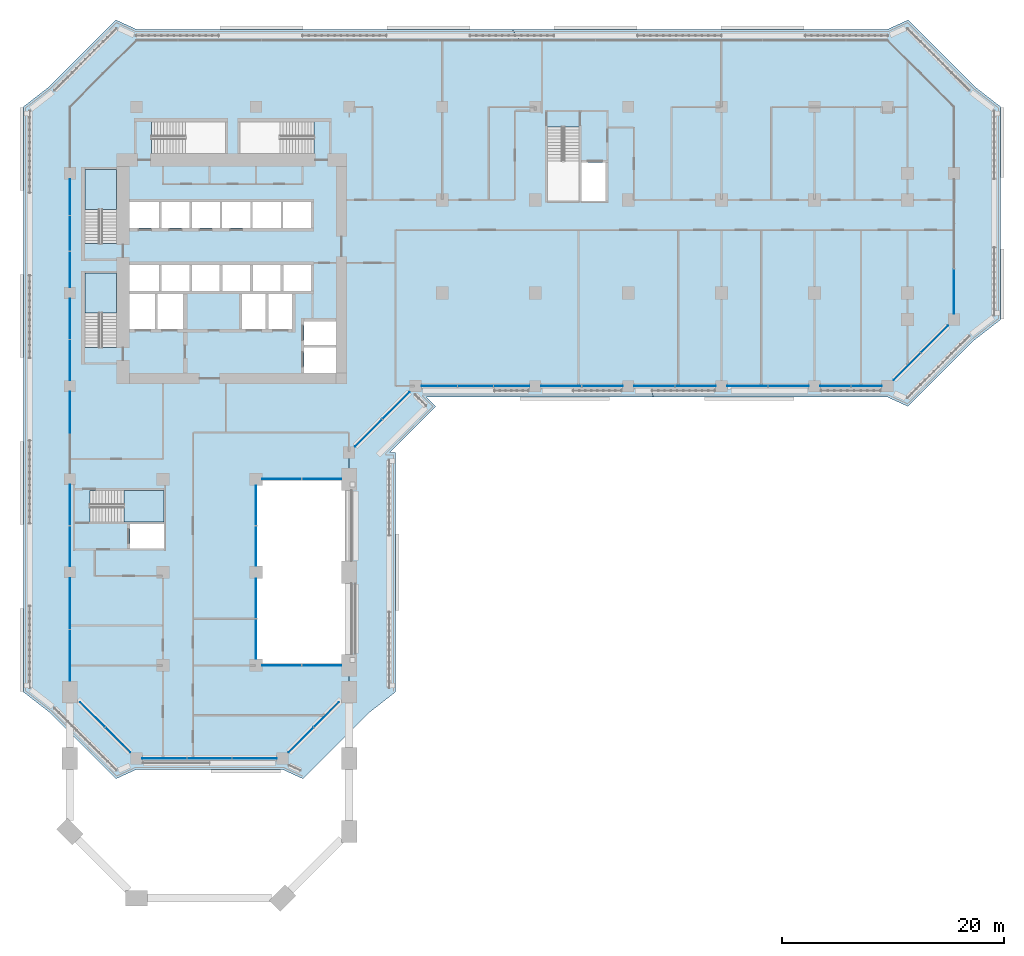
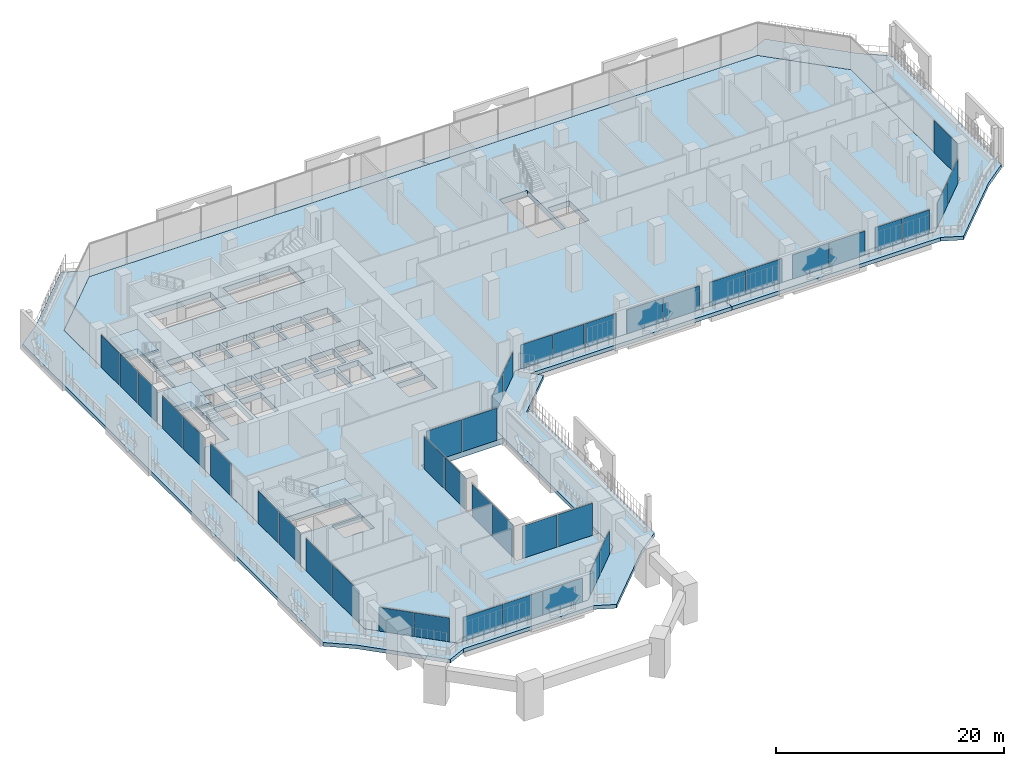
# One storey, part 11 of 27: 41 plates, 6 slabs, 14 elements without a shape of their own.
"""IFC4 building model written with IfcOpenShell, lengths in metres."""

from ifc_helpers import new_model, si_unit, direction, frame, origin, origin_2d, place, context, subcontext, project, spatial, polyline, rectangle, outline, extrude, material, layer, layer_set, type_object, element, aggregate, save


model = new_model("IFC4")

# Units and contexts
model_context = context("Model", 3, precision=1e-05, world=origin(), true_north=direction((0.0, 1.0)))
body_context = subcontext(model_context, "Body", "Model", "MODEL_VIEW")
ifc_project = project(units=[si_unit("LENGTHUNIT", "METRE"), si_unit("AREAUNIT", "SQUARE_METRE"), si_unit("VOLUMEUNIT", "CUBIC_METRE"), si_unit("PLANEANGLEUNIT", "RADIAN"), si_unit("MASSUNIT", "GRAM", prefix="KILO")], contexts=[model_context])

# Site, building, storey
site_placement = place(None, origin())
site = spatial("IfcSite", under=ifc_project, at=site_placement, CompositionType="ELEMENT")
building_placement = place(site_placement, origin())
building = spatial("IfcBuilding", under=site, at=building_placement, Name="Kawkab Arch Medical Tower", CompositionType="ELEMENT")
storey_placement = place(building_placement, frame((0.0, 0.0, 103.0)))
storey = spatial("IfcBuildingStorey", under=building, at=storey_placement, Name="L23", CompositionType="ELEMENT", Elevation=103.0)

# Curtain wall, plates
ifc_material_1 = material(Name="Bronze anodised aluminium curtain wall frame", Category="aluminium")
ifc_layer_1 = layer(ifc_material_1, 0.159912109375)
ifc_layer_set_1 = layer_set([ifc_layer_1], Name="Bronze anodised aluminium curtain wall frame")
curtain_wall_type_1 = type_object("IfcCurtainWallType", Name="CW1 ward curtain wall", PredefinedType="NOTDEFINED", material=ifc_layer_set_1)
placement_1 = place(storey_placement, origin())
curtain_wall_1 = element("IfcCurtainWall", 1, at=placement_1, inside=storey, type_object=curtain_wall_type_1, Name="CW1 Ward curtain wall R07", PredefinedType="NOTDEFINED")
ifc_material_2 = material(Name="Tinted insulating glass, bronze low-e coating", Category="glass")
ifc_layer_2 = layer(ifc_material_2, 0.031982421875)
ifc_layer_set_2 = layer_set([ifc_layer_2], Name="Tinted insulating glass, bronze low-e coating")
plate_type_1 = type_object("IfcPlateType", Name="CW1 glazing unit 32", PredefinedType="CURTAIN_PANEL", material=ifc_layer_set_2)
plate_1_placement = place(storey_placement, frame((33.355712890625, -25.199951171875, 0.0), z_axis=(0.0, 0.0, 1.0), x_axis=(1.0, 0.0, 0.0)))
plate_1 = element("IfcPlate", 2, at=plate_1_placement, type_object=plate_type_1, Name="CW1 glazing unit 1.1", PredefinedType="CURTAIN_PANEL", context=body_context, shape_type="SweptSolid", body=[
    extrude(rectangle(XDim=3.211669921875, YDim=0.031982421875, at=origin_2d()), origin(), (0.0, 0.0, 1.0), 2.580078125),
])
plate_2_placement = place(storey_placement, frame((36.612548828125, -25.199951171875, 0.0), z_axis=(0.0, 0.0, 1.0), x_axis=(1.0, 0.0, 0.0)))
plate_2 = element("IfcPlate", 3, at=plate_2_placement, type_object=plate_type_1, Name="CW1 glazing unit 1.2", PredefinedType="CURTAIN_PANEL", context=body_context, shape_type="SweptSolid", body=[
    extrude(rectangle(XDim=3.181640625, YDim=0.031982421875, at=origin_2d()), origin(), (0.0, 0.0, 1.0), 2.580078125),
])
plate_3_placement = place(storey_placement, frame((39.869140625, -25.199951171875, 0.0), z_axis=(0.0, 0.0, 1.0), x_axis=(1.0, 0.0, 0.0)))
plate_3 = element("IfcPlate", 4, at=plate_3_placement, type_object=plate_type_1, Name="CW1 glazing unit 1.3", PredefinedType="CURTAIN_PANEL", context=body_context, shape_type="SweptSolid", body=[
    extrude(rectangle(XDim=3.211669921875, YDim=0.031982421875, at=origin_2d()), origin(), (0.0, 0.0, 1.0), 2.580078125),
])
plate_4_placement = place(storey_placement, frame((44.347412109375, -25.199951171875, 0.0), z_axis=(0.0, 0.0, 1.0), x_axis=(1.0, 0.0, 0.0)))
plate_4 = element("IfcPlate", 5, at=plate_4_placement, type_object=plate_type_1, Name="CW1 glazing unit 2.1", PredefinedType="CURTAIN_PANEL", context=body_context, shape_type="SweptSolid", body=[
    extrude(rectangle(XDim=3.64501953125, YDim=0.031982421875, at=origin_2d()), origin(), (0.0, 0.0, 1.0), 2.580078125),
])
plate_5_placement = place(storey_placement, frame((48.052490234375, -25.199951171875, 0.0), z_axis=(0.0, 0.0, 1.0), x_axis=(1.0, 0.0, 0.0)))
plate_5 = element("IfcPlate", 6, at=plate_5_placement, type_object=plate_type_1, Name="CW1 glazing unit 2.2", PredefinedType="CURTAIN_PANEL", context=body_context, shape_type="SweptSolid", body=[
    extrude(rectangle(XDim=3.64501953125, YDim=0.031982421875, at=origin_2d()), origin(), (0.0, 0.0, 1.0), 2.580078125),
])
plate_6_placement = place(storey_placement, frame((52.74755859375, -25.199951171875, 0.0), z_axis=(0.0, 0.0, 1.0), x_axis=(1.0, 0.0, 0.0)))
plate_6 = element("IfcPlate", 7, at=plate_6_placement, type_object=plate_type_1, Name="CW1 glazing unit 3.1", PredefinedType="CURTAIN_PANEL", context=body_context, shape_type="SweptSolid", body=[
    extrude(rectangle(XDim=3.64501953125, YDim=0.031982421875, at=origin_2d()), origin(), (0.0, 0.0, 1.0), 2.580078125),
])
plate_7_placement = place(storey_placement, frame((56.452392578125, -25.199951171875, 0.0), z_axis=(0.0, 0.0, 1.0), x_axis=(1.0, 0.0, 0.0)))
plate_7 = element("IfcPlate", 8, at=plate_7_placement, type_object=plate_type_1, Name="CW1 glazing unit 3.2", PredefinedType="CURTAIN_PANEL", context=body_context, shape_type="SweptSolid", body=[
    extrude(rectangle(XDim=3.64501953125, YDim=0.031982421875, at=origin_2d()), origin(), (0.0, 0.0, 1.0), 2.580078125),
])
plate_8_placement = place(storey_placement, frame((61.1474609375, -25.199951171875, 0.0), z_axis=(0.0, 0.0, 1.0), x_axis=(1.0, 0.0, 0.0)))
plate_8 = element("IfcPlate", 9, at=plate_8_placement, type_object=plate_type_1, Name="CW1 glazing unit 4.1", PredefinedType="CURTAIN_PANEL", context=body_context, shape_type="SweptSolid", body=[
    extrude(rectangle(XDim=3.64501953125, YDim=0.031982421875, at=origin_2d()), origin(), (0.0, 0.0, 1.0), 2.580078125),
])
plate_9_placement = place(storey_placement, frame((64.8525390625, -25.199951171875, 0.0), z_axis=(0.0, 0.0, 1.0), x_axis=(1.0, 0.0, 0.0)))
plate_9 = element("IfcPlate", 10, at=plate_9_placement, type_object=plate_type_1, Name="CW1 glazing unit 4.2", PredefinedType="CURTAIN_PANEL", context=body_context, shape_type="SweptSolid", body=[
    extrude(rectangle(XDim=3.64501953125, YDim=0.031982421875, at=origin_2d()), origin(), (0.0, 0.0, 1.0), 2.580078125),
])
plate_10_placement = place(storey_placement, frame((69.09130859375, -25.199951171875, 0.0), z_axis=(0.0, 0.0, 1.0), x_axis=(1.0, 0.0, 0.0)))
plate_10 = element("IfcPlate", 11, at=plate_10_placement, type_object=plate_type_1, Name="CW1 glazing unit 5.1", PredefinedType="CURTAIN_PANEL", context=body_context, shape_type="SweptSolid", body=[
    extrude(rectangle(XDim=2.732421875, YDim=0.031982421875, at=origin_2d()), origin(), (0.0, 0.0, 1.0), 2.580078125),
])
plate_11_placement = place(storey_placement, frame((71.8837890625, -25.199951171875, 0.0), z_axis=(0.0, 0.0, 1.0), x_axis=(1.0, 0.0, 0.0)))
plate_11 = element("IfcPlate", 12, at=plate_11_placement, type_object=plate_type_1, Name="CW1 glazing unit 5.2", PredefinedType="CURTAIN_PANEL", context=body_context, shape_type="SweptSolid", body=[
    extrude(rectangle(XDim=2.732421875, YDim=0.031982421875, at=origin_2d()), origin(), (0.0, 0.0, 1.0), 2.580078125),
])
aggregate(curtain_wall_1, [plate_1, plate_2, plate_3, plate_4, plate_5, plate_6, plate_7, plate_8, plate_9, plate_10, plate_11])

# Curtain wall, plate
curtain_wall_2 = element("IfcCurtainWall", 13, at=placement_1, inside=storey, type_object=curtain_wall_type_1, Name="CW1 Ward curtain wall R09", PredefinedType="NOTDEFINED")
plate_12_placement = place(storey_placement, frame((79.800048828125, -16.6484375, 0.0), z_axis=(0.0, 0.0, 1.0), x_axis=(0.0, 1.0, 0.0)))
plate_12 = element("IfcPlate", 14, at=plate_12_placement, type_object=plate_type_1, Name="CW1 glazing unit 1.1", PredefinedType="CURTAIN_PANEL", context=body_context, shape_type="SweptSolid", body=[
    extrude(rectangle(XDim=4.00341796875, YDim=0.031982421875, at=origin_2d()), origin(), (0.0, 0.0, 1.0), 3.47998046875),
])
aggregate(curtain_wall_2, [plate_12])

# Curtain wall, plates
curtain_wall_3 = element("IfcCurtainWall", 15, at=placement_1, inside=storey, type_object=curtain_wall_type_1, Name="CW1 Ward curtain wall R13", PredefinedType="NOTDEFINED")
plate_13_placement = place(storey_placement, frame((0.0, -8.15576171875, 0.0), z_axis=(0.0, 0.0, 1.0), x_axis=(0.0, -1.0, 0.0)))
plate_13 = element("IfcPlate", 16, at=plate_13_placement, type_object=plate_type_1, Name="CW1 glazing unit 2.1", PredefinedType="CURTAIN_PANEL", context=body_context, shape_type="SweptSolid", body=[
    extrude(rectangle(XDim=3.211669921875, YDim=0.031982421875, at=origin_2d()), origin(), (0.0, 0.0, 1.0), 3.47998046875),
])
plate_14_placement = place(storey_placement, frame((0.0, -11.41259765625, 0.0), z_axis=(0.0, 0.0, 1.0), x_axis=(0.0, -1.0, 0.0)))
plate_14 = element("IfcPlate", 17, at=plate_14_placement, type_object=plate_type_1, Name="CW1 glazing unit 2.2", PredefinedType="CURTAIN_PANEL", context=body_context, shape_type="SweptSolid", body=[
    extrude(rectangle(XDim=3.181640625, YDim=0.031982421875, at=origin_2d()), origin(), (0.0, 0.0, 1.0), 3.47998046875),
])
plate_15_placement = place(storey_placement, frame((0.0, -14.669189453125, 0.0), z_axis=(0.0, 0.0, 1.0), x_axis=(0.0, -1.0, 0.0)))
plate_15 = element("IfcPlate", 18, at=plate_15_placement, type_object=plate_type_1, Name="CW1 glazing unit 2.3", PredefinedType="CURTAIN_PANEL", context=body_context, shape_type="SweptSolid", body=[
    extrude(rectangle(XDim=3.211669921875, YDim=0.031982421875, at=origin_2d()), origin(), (0.0, 0.0, 1.0), 3.47998046875),
])
plate_16_placement = place(storey_placement, frame((0.0, -19.1474609375, 0.0), z_axis=(0.0, 0.0, 1.0), x_axis=(0.0, -1.0, 0.0)))
plate_16 = element("IfcPlate", 19, at=plate_16_placement, type_object=plate_type_1, Name="CW1 glazing unit 3.1", PredefinedType="CURTAIN_PANEL", context=body_context, shape_type="SweptSolid", body=[
    extrude(rectangle(XDim=3.64501953125, YDim=0.031982421875, at=origin_2d()), origin(), (0.0, 0.0, 1.0), 3.47998046875),
])
plate_17_placement = place(storey_placement, frame((0.0, -22.8525390625, 0.0), z_axis=(0.0, 0.0, 1.0), x_axis=(0.0, -1.0, 0.0)))
plate_17 = element("IfcPlate", 20, at=plate_17_placement, type_object=plate_type_1, Name="CW1 glazing unit 3.2", PredefinedType="CURTAIN_PANEL", context=body_context, shape_type="SweptSolid", body=[
    extrude(rectangle(XDim=3.64501953125, YDim=0.031982421875, at=origin_2d()), origin(), (0.0, 0.0, 1.0), 3.47998046875),
])
plate_18_placement = place(storey_placement, frame((0.0, -27.5625, 0.0), z_axis=(0.0, 0.0, 1.0), x_axis=(0.0, -1.0, 0.0)))
plate_18 = element("IfcPlate", 21, at=plate_18_placement, type_object=plate_type_1, Name="CW1 glazing unit 4.1", PredefinedType="CURTAIN_PANEL", context=body_context, shape_type="SweptSolid", body=[
    extrude(rectangle(XDim=3.675048828125, YDim=0.031982421875, at=origin_2d()), origin(), (0.0, 0.0, 1.0), 3.47998046875),
])
plate_19_placement = place(storey_placement, frame((0.0, -35.947509765625, 0.0), z_axis=(0.0, 0.0, 1.0), x_axis=(0.0, -1.0, 0.0)))
plate_19 = element("IfcPlate", 22, at=plate_19_placement, type_object=plate_type_1, Name="CW1 glazing unit 5.1", PredefinedType="CURTAIN_PANEL", context=body_context, shape_type="SweptSolid", body=[
    extrude(rectangle(XDim=3.64501953125, YDim=0.031982421875, at=origin_2d()), origin(), (0.0, 0.0, 1.0), 3.47998046875),
])
plate_20_placement = place(storey_placement, frame((0.0, -39.652587890625, 0.0), z_axis=(0.0, 0.0, 1.0), x_axis=(0.0, -1.0, 0.0)))
plate_20 = element("IfcPlate", 23, at=plate_20_placement, type_object=plate_type_1, Name="CW1 glazing unit 5.2", PredefinedType="CURTAIN_PANEL", context=body_context, shape_type="SweptSolid", body=[
    extrude(rectangle(XDim=3.64501953125, YDim=0.031982421875, at=origin_2d()), origin(), (0.0, 0.0, 1.0), 3.47998046875),
])
plate_21_placement = place(storey_placement, frame((0.0, -44.828857421875, 0.0), z_axis=(0.0, 0.0, 1.0), x_axis=(0.0, -1.0, 0.0)))
plate_21 = element("IfcPlate", 24, at=plate_21_placement, type_object=plate_type_1, Name="CW1 glazing unit 6.1", PredefinedType="CURTAIN_PANEL", context=body_context, shape_type="SweptSolid", body=[
    extrude(rectangle(XDim=4.607421875, YDim=0.031982421875, at=origin_2d()), origin(), (0.0, 0.0, 1.0), 3.47998046875),
])
plate_22_placement = place(storey_placement, frame((0.0, -49.496337890625, 0.0), z_axis=(0.0, 0.0, 1.0), x_axis=(0.0, -1.0, 0.0)))
plate_22 = element("IfcPlate", 25, at=plate_22_placement, type_object=plate_type_1, Name="CW1 glazing unit 6.2", PredefinedType="CURTAIN_PANEL", context=body_context, shape_type="SweptSolid", body=[
    extrude(rectangle(XDim=4.607421875, YDim=0.031982421875, at=origin_2d()), origin(), (0.0, 0.0, 1.0), 3.47998046875),
])
aggregate(curtain_wall_3, [plate_13, plate_14, plate_15, plate_16, plate_17, plate_18, plate_19, plate_20, plate_21, plate_22])

curtain_wall_4 = element("IfcCurtainWall", 26, at=placement_1, inside=storey, type_object=curtain_wall_type_1, Name="CW1 Ward curtain wall R15", PredefinedType="NOTDEFINED")
plate_23_placement = place(storey_placement, frame((8.5517578125, -58.800048828125, 0.0), z_axis=(0.0, 0.0, 1.0), x_axis=(1.0, 0.0, 0.0)))
plate_23 = element("IfcPlate", 27, at=plate_23_placement, type_object=plate_type_1, Name="CW1 glazing unit 1.1", PredefinedType="CURTAIN_PANEL", context=body_context, shape_type="SweptSolid", body=[
    extrude(rectangle(XDim=4.00341796875, YDim=0.031982421875, at=origin_2d()), origin(), (0.0, 0.0, 1.0), 2.580078125),
])
plate_24_placement = place(storey_placement, frame((12.60009765625, -58.800048828125, 0.0), z_axis=(0.0, 0.0, 1.0), x_axis=(1.0, 0.0, 0.0)))
plate_24 = element("IfcPlate", 28, at=plate_24_placement, type_object=plate_type_1, Name="CW1 glazing unit 1.2", PredefinedType="CURTAIN_PANEL", context=body_context, shape_type="SweptSolid", body=[
    extrude(rectangle(XDim=3.973388671875, YDim=0.031982421875, at=origin_2d()), origin(), (0.0, 0.0, 1.0), 2.580078125),
])
plate_25_placement = place(storey_placement, frame((16.6484375, -58.800048828125, 0.0), z_axis=(0.0, 0.0, 1.0), x_axis=(1.0, 0.0, 0.0)))
plate_25 = element("IfcPlate", 29, at=plate_25_placement, type_object=plate_type_1, Name="CW1 glazing unit 1.3", PredefinedType="CURTAIN_PANEL", context=body_context, shape_type="SweptSolid", body=[
    extrude(rectangle(XDim=4.00341796875, YDim=0.031982421875, at=origin_2d()), origin(), (0.0, 0.0, 1.0), 2.580078125),
])
aggregate(curtain_wall_4, [plate_23, plate_24, plate_25])

ifc_material_3 = material(Name="Bronze anodised aluminium curtain wall frame", Category="aluminium")
ifc_layer_3 = layer(ifc_material_3, 0.159912109375)
ifc_layer_set_3 = layer_set([ifc_layer_3], Name="Bronze anodised aluminium curtain wall frame")
curtain_wall_type_2 = type_object("IfcCurtainWallType", Name="CW2 chamfer curtain wall", PredefinedType="NOTDEFINED", material=ifc_layer_set_3)
curtain_wall_5 = element("IfcCurtainWall", 30, at=placement_1, inside=storey, type_object=curtain_wall_type_2, Name="CW2 Chamfer curtain wall R06", PredefinedType="NOTDEFINED")
ifc_material_4 = material(Name="Tinted insulating glass, bronze low-e coating", Category="glass")
ifc_layer_4 = layer(ifc_material_4, 0.031982421875)
ifc_layer_set_4 = layer_set([ifc_layer_4], Name="Tinted insulating glass, bronze low-e coating")
plate_type_2 = type_object("IfcPlateType", Name="CW2 glazing unit 32", PredefinedType="CURTAIN_PANEL", material=ifc_layer_set_4)
plate_26_placement = place(storey_placement, frame((26.96435546875, -29.435546875, 0.0), z_axis=(0.0, 0.0, 1.0), x_axis=(0.707106781187, 0.707106781187, 0.0)))
plate_26 = element("IfcPlate", 31, at=plate_26_placement, type_object=plate_type_2, Name="CW2 glazing unit 1.1", PredefinedType="CURTAIN_PANEL", context=body_context, shape_type="SweptSolid", body=[
    extrude(rectangle(XDim=3.434814453125, YDim=0.031982421875, at=origin_2d()), origin(), (0.0, 0.0, 1.0), 2.56005859375),
])
plate_27_placement = place(storey_placement, frame((29.435546875, -26.96435546875, 0.0), z_axis=(0.0, 0.0, 1.0), x_axis=(0.707106781187, 0.707106781187, 0.0)))
plate_27 = element("IfcPlate", 32, at=plate_27_placement, type_object=plate_type_2, Name="CW2 glazing unit 1.2", PredefinedType="CURTAIN_PANEL", context=body_context, shape_type="SweptSolid", body=[
    extrude(rectangle(XDim=3.434814453125, YDim=0.031982421875, at=origin_2d()), origin(), (0.0, 0.0, 1.0), 2.56005859375),
])
aggregate(curtain_wall_5, [plate_26, plate_27])

curtain_wall_6 = element("IfcCurtainWall", 33, at=placement_1, inside=storey, type_object=curtain_wall_type_2, Name="CW2 Chamfer curtain wall R08", PredefinedType="NOTDEFINED")
plate_28_placement = place(storey_placement, frame((75.564453125, -23.435546875, 0.0), z_axis=(0.0, 0.0, 1.0), x_axis=(0.707106781187, 0.707106781187, 0.0)))
plate_28 = element("IfcPlate", 34, at=plate_28_placement, type_object=plate_type_2, Name="CW2 glazing unit 1.1", PredefinedType="CURTAIN_PANEL", context=body_context, shape_type="SweptSolid", body=[
    extrude(rectangle(XDim=3.434814453125, YDim=0.031982421875, at=origin_2d()), origin(), (0.0, 0.0, 1.0), 2.56005859375),
])
plate_29_placement = place(storey_placement, frame((78.03564453125, -20.96435546875, 0.0), z_axis=(0.0, 0.0, 1.0), x_axis=(0.707106781187, 0.707106781187, 0.0)))
plate_29 = element("IfcPlate", 35, at=plate_29_placement, type_object=plate_type_2, Name="CW2 glazing unit 1.2", PredefinedType="CURTAIN_PANEL", context=body_context, shape_type="SweptSolid", body=[
    extrude(rectangle(XDim=3.434814453125, YDim=0.031982421875, at=origin_2d()), origin(), (0.0, 0.0, 1.0), 2.56005859375),
])
aggregate(curtain_wall_6, [plate_28, plate_29])

curtain_wall_7 = element("IfcCurtainWall", 36, at=placement_1, inside=storey, type_object=curtain_wall_type_2, Name="CW2 Chamfer curtain wall R14", PredefinedType="NOTDEFINED")
plate_30_placement = place(storey_placement, frame((2.049560546875, -54.849609375, 0.0), z_axis=(0.0, 0.0, 1.0), x_axis=(0.707106781187, -0.707106781187, 0.0)))
plate_30 = element("IfcPlate", 37, at=plate_30_placement, type_object=plate_type_2, Name="CW2 glazing unit 1.1", PredefinedType="CURTAIN_PANEL", context=body_context, shape_type="SweptSolid", body=[
    extrude(rectangle(XDim=3.165771484375, YDim=0.031982421875, at=origin_2d()), origin(), (0.0, 0.0, 1.0), 2.56005859375),
])
plate_31_placement = place(storey_placement, frame((4.330810546875, -57.130615234375, 0.0), z_axis=(0.0, 0.0, 1.0), x_axis=(0.707106781187, -0.707106781187, 0.0)))
plate_31 = element("IfcPlate", 38, at=plate_31_placement, type_object=plate_type_2, Name="CW2 glazing unit 1.2", PredefinedType="CURTAIN_PANEL", context=body_context, shape_type="SweptSolid", body=[
    extrude(rectangle(XDim=3.165771484375, YDim=0.031982421875, at=origin_2d()), origin(), (0.0, 0.0, 1.0), 2.56005859375),
])
aggregate(curtain_wall_7, [plate_30, plate_31])

curtain_wall_8 = element("IfcCurtainWall", 39, at=placement_1, inside=storey, type_object=curtain_wall_type_2, Name="CW2 Chamfer curtain wall R16", PredefinedType="NOTDEFINED")
plate_32_placement = place(storey_placement, frame((20.869384765625, -57.130615234375, 0.0), z_axis=(0.0, 0.0, 1.0), x_axis=(0.707106781187, 0.707106781187, 0.0)))
plate_32 = element("IfcPlate", 40, at=plate_32_placement, type_object=plate_type_2, Name="CW2 glazing unit 1.1", PredefinedType="CURTAIN_PANEL", context=body_context, shape_type="SweptSolid", body=[
    extrude(rectangle(XDim=3.165771484375, YDim=0.031982421875, at=origin_2d()), origin(), (0.0, 0.0, 1.0), 2.56005859375),
])
plate_33_placement = place(storey_placement, frame((23.150390625, -54.849609375, 0.0), z_axis=(0.0, 0.0, 1.0), x_axis=(0.707106781187, 0.707106781187, 0.0)))
plate_33 = element("IfcPlate", 41, at=plate_33_placement, type_object=plate_type_2, Name="CW2 glazing unit 1.2", PredefinedType="CURTAIN_PANEL", context=body_context, shape_type="SweptSolid", body=[
    extrude(rectangle(XDim=3.165771484375, YDim=0.031982421875, at=origin_2d()), origin(), (0.0, 0.0, 1.0), 2.56005859375),
])
aggregate(curtain_wall_8, [plate_32, plate_33])

ifc_material_5 = material(Name="Bronze anodised aluminium curtain wall frame", Category="aluminium")
ifc_layer_5 = layer(ifc_material_5, 0.159912109375)
ifc_layer_set_5 = layer_set([ifc_layer_5], Name="Bronze anodised aluminium curtain wall frame")
curtain_wall_type_3 = type_object("IfcCurtainWallType", Name="CW3 sky garden curtain wall", PredefinedType="NOTDEFINED", material=ifc_layer_set_5)
curtain_wall_9 = element("IfcCurtainWall", 42, at=placement_1, inside=storey, type_object=curtain_wall_type_3, Name="CW3 Sky garden curtain wall R02", PredefinedType="NOTDEFINED")
ifc_material_6 = material(Name="Tinted laminated insulating glass, grey-green", Category="glass")
ifc_layer_6 = layer(ifc_material_6, 0.035888671875)
ifc_layer_set_6 = layer_set([ifc_layer_6], Name="Tinted laminated insulating glass, grey-green")
plate_type_3 = type_object("IfcPlateType", Name="CW3 glazing unit 36", PredefinedType="CURTAIN_PANEL", material=ifc_layer_set_6)
plate_34_placement = place(storey_placement, frame((22.736328125, -50.39990234375, 0.0), z_axis=(0.0, 0.0, 1.0), x_axis=(-1.0, 0.0, 0.0)))
plate_34 = element("IfcPlate", 43, at=plate_34_placement, type_object=plate_type_3, Name="CW3 glazing unit 1.1", PredefinedType="CURTAIN_PANEL", context=body_context, shape_type="SweptSolid", body=[
    extrude(rectangle(XDim=3.527587890625, YDim=0.035888671875, at=origin_2d()), origin(), (0.0, 0.0, 1.0), 3.4599609375),
])
plate_35_placement = place(storey_placement, frame((19.138671875, -50.39990234375, 0.0), z_axis=(0.0, 0.0, 1.0), x_axis=(-1.0, 0.0, 0.0)))
plate_35 = element("IfcPlate", 44, at=plate_35_placement, type_object=plate_type_3, Name="CW3 glazing unit 1.2", PredefinedType="CURTAIN_PANEL", context=body_context, shape_type="SweptSolid", body=[
    extrude(rectangle(XDim=3.527587890625, YDim=0.035888671875, at=origin_2d()), origin(), (0.0, 0.0, 1.0), 3.4599609375),
])
aggregate(curtain_wall_9, [plate_34, plate_35])

curtain_wall_10 = element("IfcCurtainWall", 45, at=placement_1, inside=storey, type_object=curtain_wall_type_3, Name="CW3 Sky garden curtain wall R03", PredefinedType="NOTDEFINED")
plate_36_placement = place(storey_placement, frame((16.800048828125, -48.030029296875, 0.0), z_axis=(0.0, 0.0, 1.0), x_axis=(0.0, 1.0, 0.0)))
plate_36 = element("IfcPlate", 46, at=plate_36_placement, type_object=plate_type_3, Name="CW3 glazing unit 1.1", PredefinedType="CURTAIN_PANEL", context=body_context, shape_type="SweptSolid", body=[
    extrude(rectangle(XDim=3.590087890625, YDim=0.035888671875, at=origin_2d()), origin(), (0.0, 0.0, 1.0), 3.4599609375),
])
plate_37_placement = place(storey_placement, frame((16.800048828125, -44.3701171875, 0.0), z_axis=(0.0, 0.0, 1.0), x_axis=(0.0, 1.0, 0.0)))
plate_37 = element("IfcPlate", 47, at=plate_37_placement, type_object=plate_type_3, Name="CW3 glazing unit 1.2", PredefinedType="CURTAIN_PANEL", context=body_context, shape_type="SweptSolid", body=[
    extrude(rectangle(XDim=3.590087890625, YDim=0.035888671875, at=origin_2d()), origin(), (0.0, 0.0, 1.0), 3.4599609375),
])
plate_38_placement = place(storey_placement, frame((16.800048828125, -39.6298828125, 0.0), z_axis=(0.0, 0.0, 1.0), x_axis=(0.0, 1.0, 0.0)))
plate_38 = element("IfcPlate", 48, at=plate_38_placement, type_object=plate_type_3, Name="CW3 glazing unit 2.1", PredefinedType="CURTAIN_PANEL", context=body_context, shape_type="SweptSolid", body=[
    extrude(rectangle(XDim=3.590087890625, YDim=0.035888671875, at=origin_2d()), origin(), (0.0, 0.0, 1.0), 3.4599609375),
])
plate_39_placement = place(storey_placement, frame((16.800048828125, -35.969970703125, 0.0), z_axis=(0.0, 0.0, 1.0), x_axis=(0.0, 1.0, 0.0)))
plate_39 = element("IfcPlate", 49, at=plate_39_placement, type_object=plate_type_3, Name="CW3 glazing unit 2.2", PredefinedType="CURTAIN_PANEL", context=body_context, shape_type="SweptSolid", body=[
    extrude(rectangle(XDim=3.590087890625, YDim=0.035888671875, at=origin_2d()), origin(), (0.0, 0.0, 1.0), 3.4599609375),
])
aggregate(curtain_wall_10, [plate_36, plate_37, plate_38, plate_39])

curtain_wall_11 = element("IfcCurtainWall", 50, at=placement_1, inside=storey, type_object=curtain_wall_type_3, Name="CW3 Sky garden curtain wall R04", PredefinedType="NOTDEFINED")
plate_40_placement = place(storey_placement, frame((19.138671875, -33.60009765625, 0.0), z_axis=(0.0, 0.0, 1.0), x_axis=(1.0, 0.0, 0.0)))
plate_40 = element("IfcPlate", 51, at=plate_40_placement, type_object=plate_type_3, Name="CW3 glazing unit 1.1", PredefinedType="CURTAIN_PANEL", context=body_context, shape_type="SweptSolid", body=[
    extrude(rectangle(XDim=3.527587890625, YDim=0.035888671875, at=origin_2d()), origin(), (0.0, 0.0, 1.0), 3.4599609375),
])
plate_41_placement = place(storey_placement, frame((22.736328125, -33.60009765625, 0.0), z_axis=(0.0, 0.0, 1.0), x_axis=(1.0, 0.0, 0.0)))
plate_41 = element("IfcPlate", 52, at=plate_41_placement, type_object=plate_type_3, Name="CW3 glazing unit 1.2", PredefinedType="CURTAIN_PANEL", context=body_context, shape_type="SweptSolid", body=[
    extrude(rectangle(XDim=3.527587890625, YDim=0.035888671875, at=origin_2d()), origin(), (0.0, 0.0, 1.0), 3.4599609375),
])
aggregate(curtain_wall_11, [plate_40, plate_41])

# Stair, slab
ifc_material_7 = material(Name="Concrete C40/50", Category="concrete")
stair_type = type_object("IfcStairType", Name="Exit stair 1350", PredefinedType="HALF_TURN_STAIR", material=ifc_material_7)
stair_1 = element("IfcStair", 53, at=placement_1, inside=storey, type_object=stair_type, Name="L23 Exit stair ST1", PredefinedType="HALF_TURN_STAIR")
ifc_material_8 = material(Name="Concrete C40/50", Category="concrete")
ifc_layer_7 = layer(ifc_material_8, 0.199951171875)
ifc_layer_set_7 = layer_set([ifc_layer_7], Name="Concrete C40/50")
slab_type_1 = type_object("IfcSlabType", Name="Exit stair landing 200", PredefinedType="LANDING", material=ifc_layer_set_7)
placement_2 = place(storey_placement, frame((0.0, 0.0, 1.89990234375)))
slab_1 = element("IfcSlab", 54, at=placement_2, type_object=slab_type_1, Name="ST1 landing 1", PredefinedType="LANDING", context=body_context, shape_type="SweptSolid", body=[
    extrude(outline(polyline([(4.199951171875, -9.27001953125), (4.199951171875, -5.64990234375), (1.35009765625, -5.64990234375), (1.35009765625, -9.27001953125), (4.199951171875, -9.27001953125)])), origin(), (0.0, 0.0, 1.0), 0.2001953125),
])
aggregate(stair_1, [slab_1])

stair_2 = element("IfcStair", 55, at=placement_1, inside=storey, type_object=stair_type, Name="L23 Exit stair ST2", PredefinedType="HALF_TURN_STAIR")
slab_2 = element("IfcSlab", 56, at=placement_2, type_object=slab_type_1, Name="ST2 landing 1", PredefinedType="LANDING", context=body_context, shape_type="SweptSolid", body=[
    extrude(outline(polyline([(4.199951171875, -18.6201171875), (4.199951171875, -15.0), (1.35009765625, -15.0), (1.35009765625, -18.6201171875), (4.199951171875, -18.6201171875)])), origin(), (0.0, 0.0, 1.0), 0.2001953125),
])
aggregate(stair_2, [slab_2])

stair_3 = element("IfcStair", 57, at=placement_1, inside=storey, type_object=stair_type, Name="L23 Exit stair ST6", PredefinedType="HALF_TURN_STAIR")
slab_3 = element("IfcSlab", 58, at=placement_2, type_object=slab_type_1, Name="ST6 landing 1", PredefinedType="LANDING", context=body_context, shape_type="SweptSolid", body=[
    extrude(outline(polyline([(4.8798828125, -37.449951171875), (8.5, -37.449951171875), (8.5, -34.60009765625), (4.8798828125, -34.60009765625), (4.8798828125, -37.449951171875)])), origin(), (0.0, 0.0, 1.0), 0.2001953125),
])
aggregate(stair_3, [slab_3])

# Slabs
ifc_material_9 = material(Name="Concrete C45/55", Category="concrete")
ifc_layer_8 = layer(ifc_material_9, 0.60009765625)
ifc_layer_set_8 = layer_set([ifc_layer_8], Name="Concrete C45/55")
slab_type_2 = type_object("IfcSlabType", Name="Flat plate 600 C45/55", PredefinedType="FLOOR", material=ifc_layer_set_8)
slab_4_placement = place(storey_placement, frame((0.0, 0.0, -0.60009765625)))
element("IfcSlab", 59, at=slab_4_placement, inside=storey, type_object=slab_type_2, Name="Floor slab L23", PredefinedType="FLOOR", context=body_context, shape_type="SweptSolid", body=[
    extrude(outline(polyline([(19.199951171875, -58.800048828125), (6.0, -58.800048828125), (0.0, -52.800048828125), (0.0, 0.0), (6.0, 6.0), (73.800048828125, 6.0), (79.800048828125, 0.0), (79.800048828125, -19.199951171875), (73.800048828125, -25.199951171875), (31.199951171875, -25.199951171875), (25.199951171875, -31.199951171875), (25.199951171875, -33.60009765625), (16.800048828125, -33.60009765625), (16.800048828125, -50.39990234375), (25.199951171875, -50.39990234375), (25.199951171875, -52.800048828125), (19.199951171875, -58.800048828125)]), holes=[polyline([(5.425048828125, -37.64990234375), (5.425048828125, -39.85009765625), (8.5, -39.85009765625), (8.5, -37.64990234375), (5.425048828125, -37.64990234375)]), polyline([(1.800048828125, -37.449951171875), (8.5, -37.449951171875), (8.5, -34.60009765625), (1.800048828125, -34.60009765625), (1.800048828125, -37.449951171875)]), polyline([(5.39990234375, -16.89990234375), (5.39990234375, -20.050048828125), (7.675048828125, -20.050048828125), (7.675048828125, -16.89990234375), (5.39990234375, -16.89990234375)]), polyline([(10.199951171875, -16.89990234375), (7.925048828125, -16.89990234375), (7.925048828125, -20.050048828125), (10.199951171875, -20.050048828125), (10.199951171875, -16.89990234375)]), polyline([(4.199951171875, -21.699951171875), (4.199951171875, -15.0), (1.35009765625, -15.0), (1.35009765625, -21.699951171875), (4.199951171875, -21.699951171875)]), polyline([(5.39990234375, -14.25), (5.39990234375, -16.60009765625), (8.050048828125, -16.60009765625), (8.050048828125, -14.25), (5.39990234375, -14.25)]), polyline([(8.25, -16.60009765625), (10.800048828125, -16.60009765625), (10.800048828125, -14.25), (8.25, -14.25), (8.25, -16.60009765625)]), polyline([(13.52490234375, -16.60009765625), (13.52490234375, -14.25), (11.0, -14.25), (11.0, -16.60009765625), (13.52490234375, -16.60009765625)]), polyline([(5.39990234375, -8.60009765625), (5.39990234375, -10.949951171875), (8.050048828125, -10.949951171875), (8.050048828125, -8.60009765625), (5.39990234375, -8.60009765625)]), polyline([(8.25, -10.949951171875), (10.800048828125, -10.949951171875), (10.800048828125, -8.60009765625), (8.25, -8.60009765625), (8.25, -10.949951171875)]), polyline([(13.550048828125, -8.60009765625), (11.0, -8.60009765625), (11.0, -10.949951171875), (13.550048828125, -10.949951171875), (13.550048828125, -8.60009765625)]), polyline([(4.199951171875, -12.35009765625), (4.199951171875, -5.64990234375), (1.35009765625, -5.64990234375), (1.35009765625, -12.35009765625), (4.199951171875, -12.35009765625)]), polyline([(7.35009765625, -4.199951171875), (14.050048828125, -4.199951171875), (14.050048828125, -1.35009765625), (7.35009765625, -1.35009765625), (7.35009765625, -4.199951171875)]), polyline([(24.0, -21.72509765625), (21.14990234375, -21.72509765625), (21.14990234375, -24.0), (24.0, -24.0), (24.0, -21.72509765625)]), polyline([(24.0, -21.47509765625), (24.0, -19.35009765625), (21.14990234375, -19.35009765625), (21.14990234375, -21.47509765625), (24.0, -21.47509765625)]), polyline([(17.675048828125, -20.050048828125), (17.675048828125, -16.89990234375), (15.52490234375, -16.89990234375), (15.52490234375, -20.050048828125), (17.675048828125, -20.050048828125)]), polyline([(20.050048828125, -16.89990234375), (17.925048828125, -16.89990234375), (17.925048828125, -20.050048828125), (20.050048828125, -20.050048828125), (20.050048828125, -16.89990234375)]), polyline([(13.77490234375, -16.60009765625), (16.27490234375, -16.60009765625), (16.27490234375, -14.25), (13.77490234375, -14.25), (13.77490234375, -16.60009765625)]), polyline([(16.52490234375, -16.60009765625), (19.02490234375, -16.60009765625), (19.02490234375, -14.25), (16.52490234375, -14.25), (16.52490234375, -16.60009765625)]), polyline([(21.75, -14.25), (19.27490234375, -14.25), (19.27490234375, -16.60009765625), (21.75, -16.60009765625), (21.75, -14.25)]), polyline([(16.300048828125, -10.949951171875), (16.300048828125, -8.60009765625), (13.75, -8.60009765625), (13.75, -10.949951171875), (16.300048828125, -10.949951171875)]), polyline([(19.050048828125, -10.949951171875), (19.050048828125, -8.60009765625), (16.5, -8.60009765625), (16.5, -10.949951171875), (19.050048828125, -10.949951171875)]), polyline([(21.75, -8.60009765625), (19.25, -8.60009765625), (19.25, -10.949951171875), (21.75, -10.949951171875), (21.75, -8.60009765625)]), polyline([(46.14990234375, -5.02490234375), (46.14990234375, -8.5), (48.35009765625, -8.5), (48.35009765625, -5.02490234375), (46.14990234375, -5.02490234375)]), polyline([(43.10009765625, -1.800048828125), (43.10009765625, -8.5), (45.949951171875, -8.5), (45.949951171875, -1.800048828125), (43.10009765625, -1.800048828125)]), polyline([(22.050048828125, -1.35009765625), (15.35009765625, -1.35009765625), (15.35009765625, -4.199951171875), (22.050048828125, -4.199951171875), (22.050048828125, -1.35009765625)])]), origin(), (0.0, 0.0, 1.0), 0.60009765625),
])
ifc_material_10 = material(Name="Concrete C40/50", Category="concrete")
ifc_layer_9 = layer(ifc_material_10, 0.39990234375)
ifc_layer_set_9 = layer_set([ifc_layer_9], Name="Concrete C40/50")
slab_type_3 = type_object("IfcSlabType", Name="Loggia slab 400", PredefinedType="FLOOR", material=ifc_layer_set_9)
placement_3 = place(storey_placement, frame((0.0, 0.0, -0.39990234375)))
element("IfcSlab", 60, at=placement_3, inside=storey, type_object=slab_type_3, Name="Loggia slab L23.3", PredefinedType="FLOOR", context=body_context, shape_type="SweptSolid", body=[
    extrude(outline(polyline([(-4.199951171875, -52.799072265625), (-4.199951171875, -0.0009765625), (-4.198974609375, -0.0009765625), (-4.198974609375, 0.0009765625), (-1.837890625, 1.837890625), (4.1630859375, 7.837890625), (6.0, 7.0), (39.916015625, 7.0), (39.916015625, 6.9990234375), (39.91796875, 6.9990234375), (40.55810546875, 6.0009765625), (40.55810546875, 6.0), (6.0, 6.0), (-0.0009765625, 0.0), (-0.0009765625, -52.800048828125), (6.0, -58.800048828125), (19.199951171875, -58.800048828125), (25.199951171875, -52.800048828125), (25.199951171875, -31.201904296875), (31.201904296875, -25.199951171875), (52.498046875, -25.199951171875), (52.498046875, -25.200927734375), (52.4990234375, -25.200927734375), (52.4990234375, -25.201904296875), (52.5, -25.201904296875), (52.623046875, -26.197998046875), (52.6220703125, -26.197998046875), (52.6220703125, -26.198974609375), (52.62109375, -26.198974609375), (52.62109375, -26.199951171875), (32.198974609375, -26.199951171875), (33.034912109375, -27.0380859375), (28.8759765625, -31.199951171875), (29.39794921875, -31.199951171875), (29.39794921875, -31.200927734375), (29.39892578125, -31.200927734375), (29.39892578125, -31.201904296875), (29.39990234375, -31.201904296875), (29.39990234375, -52.798095703125), (29.39892578125, -52.798095703125), (29.39892578125, -52.800048828125), (29.39794921875, -52.800048828125), (29.39794921875, -52.802001953125), (27.0380859375, -54.637939453125), (21.035888671875, -60.637939453125), (19.199951171875, -59.800048828125), (6.0, -59.800048828125), (4.1630859375, -60.637939453125), (-1.837890625, -54.637939453125), (-4.198974609375, -52.801025390625), (-4.198974609375, -52.799072265625), (-4.199951171875, -52.799072265625)])), origin(), (0.0, 0.0, 1.0), 0.39990234375),
])
element("IfcSlab", 61, at=placement_3, inside=storey, type_object=slab_type_3, Name="Loggia slab L23.4", PredefinedType="FLOOR", context=body_context, shape_type="SweptSolid", body=[
    extrude(outline(polyline([(73.800048828125, 7.0), (75.637939453125, 7.837890625), (81.637939453125, 1.837890625), (84.0, 0.0), (84.0, -19.199951171875), (81.637939453125, -21.0380859375), (75.637939453125, -27.0380859375), (73.800048828125, -26.199951171875), (52.6240234375, -26.199951171875), (52.5, -25.199951171875), (73.800048828125, -25.199951171875), (79.800048828125, -19.199951171875), (79.800048828125, 0.0), (73.800048828125, 6.0), (40.55908203125, 6.0), (39.91796875, 7.0), (73.800048828125, 7.0)])), origin(), (0.0, 0.0, 1.0), 0.39990234375),
])

save(model, "model.ifc")
